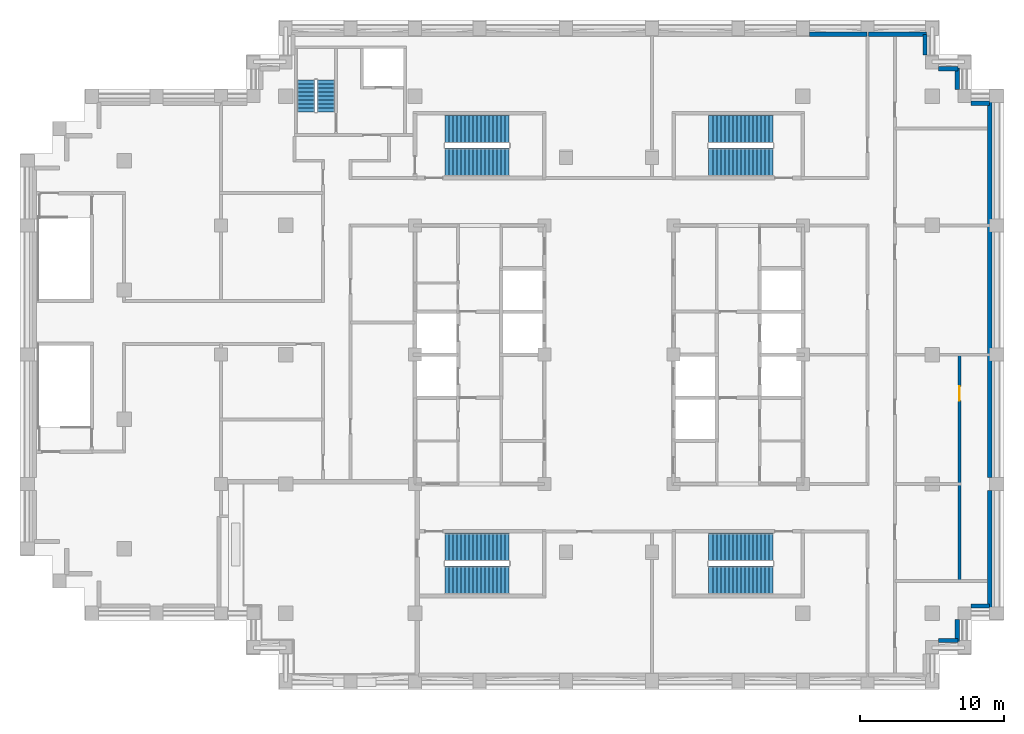
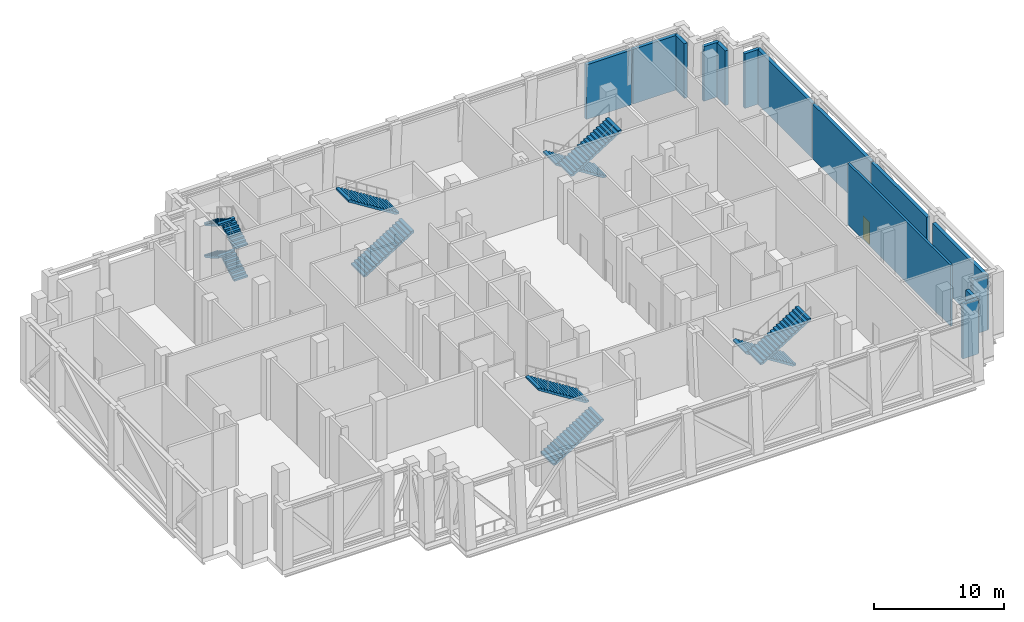
# One storey, part 8 of 10: 14 walls, 12 stair flights, 1 door, 1 opening, 5 elements without a shape of their own.
"""IFC4 building model written with IfcOpenShell, lengths in metres."""

import ifcopenshell
import ifcopenshell.guid

model = None  # the IFC model being written
_history = None  # IfcOwnerHistory: only IFC2X3 demands one
_inside = {}  # id of a spatial element -> (the spatial element, [elements in it])
_under = {}  # id of a project, library or spatial element -> (it, [spatial elements below it])
_declared = {}  # id of a project -> (the project, [libraries it declares])
_typed = {}  # id of a type object -> (the type object, [elements of that type])
_made_of = {}  # id of a material, layer set ... -> (it, [elements and type objects made of it])


def new_model(schema):
    """Start an empty IFC model of exactly this schema.

    Asked for "IFC4X3", IfcOpenShell would pick the latest addendum, in which some entities
    have other attributes; the version numbers below select the first issue.
    IFC2X3 requires an IfcOwnerHistory on every rooted entity: one is made here for all.
    """
    global model, _history
    if schema == "IFC4X3":
        model = ifcopenshell.file(schema_version=(4, 3, 0, 0))
    else:
        model = ifcopenshell.file(schema=schema)
    _inside.clear()
    _under.clear()
    _declared.clear()
    _typed.clear()
    _made_of.clear()
    _history = None
    if model.schema == "IFC2X3":
        org = make("IfcOrganization", Name="unknown")
        user = make(
            "IfcPersonAndOrganization",
            ThePerson=make("IfcPerson", FamilyName="unknown"),
            TheOrganization=org,
        )
        app = make(
            "IfcApplication",
            ApplicationDeveloper=org,
            Version="unknown",
            ApplicationFullName="unknown",
            ApplicationIdentifier="unknown",
        )
        _history = make(
            "IfcOwnerHistory",
            OwningUser=user,
            OwningApplication=app,
            ChangeAction="ADDED",
            CreationDate=0,
        )
    return model


def make(cls, **values):
    """One entity of the class cls with the attributes given. An attribute that is None is left unset."""
    return model.create_entity(
        cls, **{name: value for name, value in values.items() if value is not None}
    )


def rooted(cls, **values):
    """An entity with a GlobalId (a new one), such as an element, a storey or a relation."""
    return make(cls, GlobalId=ifcopenshell.guid.new(), OwnerHistory=_history, **values)


def si_unit(unit_type, name, prefix=None):
    """IfcSIUnit, for example si_unit("LENGTHUNIT", "METRE", prefix="MILLI")."""
    return make("IfcSIUnit", UnitType=unit_type, Prefix=prefix, Name=name)


def assignment(units):
    """IfcUnitAssignment: the units of a project."""
    return None if units is None else make("IfcUnitAssignment", Units=units)


def point(xyz):
    """IfcCartesianPoint."""
    return None if xyz is None else make("IfcCartesianPoint", Coordinates=xyz)


def direction(xyz):
    """IfcDirection."""
    return None if xyz is None else make("IfcDirection", DirectionRatios=xyz)


def frame(location, z_axis=None, x_axis=None):
    """IfcAxis2Placement3D, a coordinate frame: its origin and axes. An axis left out is left unset."""
    return make(
        "IfcAxis2Placement3D",
        Location=point(location),
        Axis=direction(z_axis),
        RefDirection=direction(x_axis),
    )


def frame_2d(location, x_axis=None):
    """IfcAxis2Placement2D, a coordinate frame in the plane: its origin and x axis."""
    return make(
        "IfcAxis2Placement2D", Location=point(location), RefDirection=direction(x_axis)
    )


def origin():
    """The frame at (0, 0, 0) with its axes left unset."""
    return frame((0.0, 0.0, 0.0))


def place(relative_to, where):
    """IfcLocalPlacement: puts the frame where relative to a parent placement (None: the world)."""
    return make(
        "IfcLocalPlacement", PlacementRelTo=relative_to, RelativePlacement=where
    )


def context(
    kind, dimensions, precision=None, world=None, true_north=None, identifier=None
):
    """IfcGeometricRepresentationContext, for example the 3D "Model" context."""
    return make(
        "IfcGeometricRepresentationContext",
        ContextIdentifier=identifier,
        ContextType=kind,
        CoordinateSpaceDimension=dimensions,
        Precision=precision,
        WorldCoordinateSystem=world,
        TrueNorth=true_north,
    )


def subcontext(parent, identifier, kind, view, scale=None):
    """IfcGeometricRepresentationSubContext, for example "Body" below "Model"."""
    return make(
        "IfcGeometricRepresentationSubContext",
        ContextIdentifier=identifier,
        ContextType=kind,
        ParentContext=parent,
        TargetScale=scale,
        TargetView=view,
    )


def project(units=None, contexts=None):
    """IfcProject with its units and contexts."""
    return rooted(
        "IfcProject",
        Name="project",
        RepresentationContexts=contexts,
        UnitsInContext=assignment(units),
    )


def spatial(cls, under=None, at=None, **own):
    """A site, building, storey or space (cls), placed at a placement, below another one or the project."""
    s = rooted(cls, ObjectPlacement=at, **own)
    if under is not None:
        _under.setdefault(under.id(), (under, []))[1].append(s)
    return s


def polyline(points):
    """IfcPolyline through the points."""
    return make("IfcPolyline", Points=[point(p) for p in points])


def profile(cls, at=None, kind="AREA", **sizes):
    """A parametric profile (cls). Its sizes go by their IFC names, for example OverallWidth=200.0."""
    return make(cls, ProfileType=kind, Position=at, **sizes)


def rectangle(**sizes):
    """IfcRectangleProfileDef."""
    return profile("IfcRectangleProfileDef", **sizes)


def outline(outer, holes=None, kind="AREA"):
    """IfcArbitraryClosedProfileDef: a profile drawn as a closed curve; with holes, ...WithVoids."""
    if holes is None:
        return make("IfcArbitraryClosedProfileDef", ProfileType=kind, OuterCurve=outer)
    return make(
        "IfcArbitraryProfileDefWithVoids",
        ProfileType=kind,
        OuterCurve=outer,
        InnerCurves=holes,
    )


def extrude(swept, where, along, depth):
    """IfcExtrudedAreaSolid: the profile swept, set in the frame where, extruded along a direction by depth."""
    return make(
        "IfcExtrudedAreaSolid",
        SweptArea=swept,
        Position=where,
        ExtrudedDirection=direction(along),
        Depth=depth,
    )


def shape(context_of_items, identifier, shape_type, items):
    """IfcShapeRepresentation: the items that make up one representation, for example the "Body"."""
    return make(
        "IfcShapeRepresentation",
        ContextOfItems=context_of_items,
        RepresentationIdentifier=identifier,
        RepresentationType=shape_type,
        Items=items,
    )


def material(Name=None, Category=None):
    """IfcMaterial."""
    return make("IfcMaterial", Name=Name, Category=Category)


def layer(
    of_material, thickness, ventilated=None, Name=None, Category=None, Priority=None
):
    """IfcMaterialLayer: one layer of a wall or slab, of a material (None: an air gap)."""
    return make(
        "IfcMaterialLayer",
        Material=of_material,
        LayerThickness=thickness,
        IsVentilated=ventilated,
        Name=Name,
        Category=Category,
        Priority=Priority,
    )


def layer_set(layers, Name=None):
    """IfcMaterialLayerSet."""
    return make("IfcMaterialLayerSet", MaterialLayers=layers, LayerSetName=Name)


def made_of(thing, what):
    """Note that an element or type object is made of a material, layer set ...; save() writes the relation."""
    if what is not None:
        _made_of.setdefault(what.id(), (what, []))[1].append(thing)
    return thing


def type_object(cls, material=None, **own):
    """A type object (cls), such as IfcWallType, which elements share."""
    return made_of(rooted(cls, **own), material)


def element(
    cls,
    number,
    at=None,
    inside=None,
    cuts=None,
    type_object=None,
    material=None,
    context=None,
    identifier="Body",
    shape_type=None,
    held_by="IfcProductDefinitionShape",
    body=None,
    shapes=None,
    **own,
):
    """One element of the class cls, such as IfcWall. Its Tag is "e" and its number.

    at: its placement. inside: the storey or other place that contains it. cuts: it is an
    opening in that element (IfcRelVoidsElement). A single representation is given by context,
    identifier, shape_type and body (its items); several are given by shapes. held_by: the class
    of the entity that holds the representations. save() writes the other relations.
    """
    e = rooted(cls, Tag="e%d" % number, ObjectPlacement=at, **own)
    if body is not None:
        shapes = [shape(context, identifier, shape_type, body)]
    if shapes is not None:
        e.Representation = make(held_by, Representations=shapes)
    if inside is not None:
        _inside.setdefault(inside.id(), (inside, []))[1].append(e)
    if cuts is not None:
        rooted(
            "IfcRelVoidsElement", RelatingBuildingElement=cuts, RelatedOpeningElement=e
        )
    if type_object is not None:
        _typed.setdefault(type_object.id(), (type_object, []))[1].append(e)
    return made_of(e, material)


def fill(opening, filler):
    """IfcRelFillsElement: the door or window that sits in an opening."""
    return rooted(
        "IfcRelFillsElement",
        RelatingOpeningElement=opening,
        RelatedBuildingElement=filler,
    )


def aggregate(whole, parts):
    """IfcRelAggregates: a whole, such as a stair, and the parts it consists of."""
    return rooted("IfcRelAggregates", RelatingObject=whole, RelatedObjects=parts)


def save(model, path):
    """Write the relations noted so far, then the file.

    IfcRelAggregates (storeys below a building ...), IfcRelContainedInSpatialStructure (elements
    in a storey), IfcRelDefinesByType, IfcRelAssociatesMaterial and IfcRelDeclares: one each for
    every whole, place, type object, material and project.
    """
    for whole, parts in _under.values():
        aggregate(whole, parts)
    for where, things in _inside.values():
        rooted(
            "IfcRelContainedInSpatialStructure",
            RelatedElements=things,
            RelatingStructure=where,
        )
    for kind, things in _typed.values():
        rooted("IfcRelDefinesByType", RelatedObjects=things, RelatingType=kind)
    for what, things in _made_of.values():
        rooted("IfcRelAssociatesMaterial", RelatedObjects=things, RelatingMaterial=what)
    for by, libraries in _declared.values():
        rooted("IfcRelDeclares", RelatingContext=by, RelatedDefinitions=libraries)
    model.write(path)


model = new_model("IFC4")

# Units and contexts
model_context = context("Model", 3, precision=1e-05, world=origin(), true_north=direction((0.0, 1.0)))
body_context = subcontext(model_context, "Body", "Model", "MODEL_VIEW")
ifc_project = project(units=[si_unit("LENGTHUNIT", "METRE"), si_unit("AREAUNIT", "SQUARE_METRE"), si_unit("VOLUMEUNIT", "CUBIC_METRE"), si_unit("PLANEANGLEUNIT", "RADIAN"), si_unit("MASSUNIT", "GRAM", prefix="KILO")], contexts=[model_context])

# Site, building, storey
site_placement = place(None, origin())
site = spatial("IfcSite", under=ifc_project, at=site_placement, CompositionType="ELEMENT")
building_placement = place(site_placement, origin())
building = spatial("IfcBuilding", under=site, at=building_placement, Name="Corbelhall Arena Tower", CompositionType="ELEMENT")
storey_placement = place(building_placement, frame((0.0, 0.0, 236.0)))
storey = spatial("IfcBuildingStorey", under=building, at=storey_placement, Name="L50", CompositionType="ELEMENT", Elevation=236.0)

# Walls
ifc_material_1 = material(Name="Precast concrete C40/50 with granite facing", Category="masonry")
ifc_layer_1 = layer(ifc_material_1, 0.300048828125)
ifc_layer_set_1 = layer_set([ifc_layer_1], Name="EV-IW1 Infill panel 300")
wall_type_1 = type_object("IfcWallType", Name="EV-IW1 Infill panel 300", PredefinedType="SOLIDWALL", material=ifc_layer_set_1)
wall_1_placement = place(storey_placement, frame((22.949951171875, -19.89990234375, 0.0), z_axis=(0.0, 0.0, 1.0), x_axis=(1.0, 0.0, 0.0)))
element("IfcWall", 1, at=wall_1_placement, inside=storey, type_object=wall_type_1, Name="Infill panel IW1", PredefinedType="SOLIDWALL", context=body_context, shape_type="SweptSolid", body=[
    extrude(rectangle(XDim=1.35009765625, YDim=0.300048828125, at=frame_2d((0.675048828125, 0.0))), origin(), (0.0, 0.0, 1.0), 5.1201171875),
])
wall_2_placement = place(storey_placement, frame((24.25, -19.949951171875, 0.0), z_axis=(0.0, 0.0, 1.0), x_axis=(0.0, 1.0, 0.0)))
element("IfcWall", 2, at=wall_2_placement, inside=storey, type_object=wall_type_1, Name="Infill panel IW1", PredefinedType="SOLIDWALL", context=body_context, shape_type="SweptSolid", body=[
    extrude(rectangle(XDim=1.5, YDim=0.300048828125, at=frame_2d((0.75, 0.0))), origin(), (0.0, 0.0, 1.0), 5.1201171875),
])
wall_3_placement = place(storey_placement, frame((25.199951171875, -17.5, 0.0), z_axis=(0.0, 0.0, 1.0), x_axis=(1.0, 0.0, 0.0)))
element("IfcWall", 3, at=wall_3_placement, inside=storey, type_object=wall_type_1, Name="Infill panel IW1", PredefinedType="SOLIDWALL", context=body_context, shape_type="SweptSolid", body=[
    extrude(rectangle(XDim=1.300048828125, YDim=0.300048828125, at=frame_2d((0.64990234375, 0.0))), origin(), (0.0, 0.0, 1.0), 5.1201171875),
])
wall_4_placement = place(storey_placement, frame((26.5, -17.610107421875, 0.0), z_axis=(0.0, 0.0, 1.0), x_axis=(0.0, 1.0, 0.0)))
element("IfcWall", 4, at=wall_4_placement, inside=storey, type_object=wall_type_1, Name="Infill panel IW1", PredefinedType="SOLIDWALL", context=body_context, shape_type="SweptSolid", body=[
    extrude(rectangle(XDim=8.16015625, YDim=0.300048828125, at=frame_2d((4.080078125, 0.0))), origin(), (0.0, 0.0, 1.0), 5.1201171875),
])
wall_5_placement = place(storey_placement, frame((26.5, -8.550048828125, 0.0), z_axis=(0.0, 0.0, 1.0), x_axis=(0.0, 1.0, 0.0)))
element("IfcWall", 5, at=wall_5_placement, inside=storey, type_object=wall_type_1, Name="Infill panel IW1", PredefinedType="SOLIDWALL", context=body_context, shape_type="SweptSolid", body=[
    extrude(rectangle(XDim=8.5, YDim=0.300048828125, at=frame_2d((4.25, 0.0))), origin(), (0.0, 0.0, 1.0), 5.1201171875),
])
wall_6_placement = place(storey_placement, frame((26.5, 0.050048828125, 0.0), z_axis=(0.0, 0.0, 1.0), x_axis=(0.0, 1.0, 0.0)))
element("IfcWall", 6, at=wall_6_placement, inside=storey, type_object=wall_type_1, Name="Infill panel IW1", PredefinedType="SOLIDWALL", context=body_context, shape_type="SweptSolid", body=[
    extrude(rectangle(XDim=8.89990234375, YDim=0.300048828125, at=frame_2d((4.449951171875, 0.0))), origin(), (0.0, 0.0, 1.0), 5.1201171875),
])
wall_7_placement = place(storey_placement, frame((26.5, 9.050048828125, 0.0), z_axis=(0.0, 0.0, 1.0), x_axis=(0.0, 1.0, 0.0)))
element("IfcWall", 7, at=wall_7_placement, inside=storey, type_object=wall_type_1, Name="Infill panel IW1", PredefinedType="SOLIDWALL", context=body_context, shape_type="SweptSolid", body=[
    extrude(rectangle(XDim=8.56005859375, YDim=0.300048828125, at=frame_2d((4.280029296875, 0.0))), origin(), (0.0, 0.0, 1.0), 5.1201171875),
])
wall_8_placement = place(storey_placement, frame((26.5, 17.5, 0.0), z_axis=(0.0, 0.0, 1.0), x_axis=(-1.0, 0.0, 0.0)))
element("IfcWall", 8, at=wall_8_placement, inside=storey, type_object=wall_type_1, Name="Infill panel IW1", PredefinedType="SOLIDWALL", context=body_context, shape_type="SweptSolid", body=[
    extrude(rectangle(XDim=1.300048828125, YDim=0.300048828125, at=frame_2d((0.64990234375, 0.0))), origin(), (0.0, 0.0, 1.0), 5.1201171875),
])
wall_9_placement = place(storey_placement, frame((24.25, 18.449951171875, 0.0), z_axis=(0.0, 0.0, 1.0), x_axis=(0.0, 1.0, 0.0)))
element("IfcWall", 9, at=wall_9_placement, inside=storey, type_object=wall_type_1, Name="Infill panel IW1", PredefinedType="SOLIDWALL", context=body_context, shape_type="SweptSolid", body=[
    extrude(rectangle(XDim=1.5, YDim=0.300048828125, at=frame_2d((0.75, 0.0))), origin(), (0.0, 0.0, 1.0), 5.1201171875),
])
wall_10_placement = place(storey_placement, frame((24.300048828125, 19.89990234375, 0.0), z_axis=(0.0, 0.0, 1.0), x_axis=(-1.0, 0.0, 0.0)))
element("IfcWall", 10, at=wall_10_placement, inside=storey, type_object=wall_type_1, Name="Infill panel IW1", PredefinedType="SOLIDWALL", context=body_context, shape_type="SweptSolid", body=[
    extrude(rectangle(XDim=1.35009765625, YDim=0.300048828125, at=frame_2d((0.675048828125, 0.0))), origin(), (0.0, 0.0, 1.0), 5.1201171875),
])
wall_11_placement = place(storey_placement, frame((22.0, 20.85009765625, 0.0), z_axis=(0.0, 0.0, 1.0), x_axis=(0.0, 1.0, 0.0)))
element("IfcWall", 11, at=wall_11_placement, inside=storey, type_object=wall_type_1, Name="Infill panel IW1", PredefinedType="SOLIDWALL", context=body_context, shape_type="SweptSolid", body=[
    extrude(rectangle(XDim=1.449951171875, YDim=0.300048828125, at=frame_2d((0.72509765625, 0.0))), origin(), (0.0, 0.0, 1.0), 5.1201171875),
])
wall_12_placement = place(storey_placement, frame((22.110107421875, 22.300048828125, 0.0), z_axis=(0.0, 0.0, 1.0), x_axis=(-1.0, 0.0, 0.0)))
element("IfcWall", 12, at=wall_12_placement, inside=storey, type_object=wall_type_1, Name="Infill panel IW1", PredefinedType="SOLIDWALL", context=body_context, shape_type="SweptSolid", body=[
    extrude(rectangle(XDim=4.06005859375, YDim=0.300048828125, at=frame_2d((2.030029296875, 0.0))), origin(), (0.0, 0.0, 1.0), 5.1201171875),
])
wall_13_placement = place(storey_placement, frame((17.949951171875, 22.300048828125, 0.0), z_axis=(0.0, 0.0, 1.0), x_axis=(-1.0, 0.0, 0.0)))
element("IfcWall", 13, at=wall_13_placement, inside=storey, type_object=wall_type_1, Name="Infill panel IW1", PredefinedType="SOLIDWALL", context=body_context, shape_type="SweptSolid", body=[
    extrude(rectangle(XDim=4.0, YDim=0.300048828125, at=frame_2d((2.0, 0.0))), origin(), (0.0, 0.0, 1.0), 5.1201171875),
])

# Wall, opening, door
ifc_material_2 = material(Name="Gypsum board on steel stud, acoustic", Category="steel")
ifc_layer_2 = layer(ifc_material_2, 0.199951171875)
ifc_layer_set_2 = layer_set([ifc_layer_2], Name="IN-W-DM200")
wall_type_2 = type_object("IfcWallType", Name="IN-W-DM200", PredefinedType="PARTITIONING", material=ifc_layer_set_2)
wall_14_placement = place(storey_placement, frame((24.39990234375, 0.0, 0.0), z_axis=(0.0, 0.0, 1.0), x_axis=(0.0, -1.0, 0.0)))
wall_14 = element("IfcWall", 14, at=wall_14_placement, inside=storey, type_object=wall_type_2, Name="Partition 040", PredefinedType="PARTITIONING", context=body_context, shape_type="SweptSolid", body=[
    extrude(rectangle(XDim=15.75, YDim=0.199951171875, at=frame_2d((7.875, 0.0))), origin(), (0.0, 0.0, 1.0), 5.719970703125),
])
opening_placement = place(wall_14_placement, frame((2.199951171875, 0.0, 0.0)))
opening = element("IfcOpeningElement", 15, at=opening_placement, cuts=wall_14, Name="Opening 28041", PredefinedType="OPENING", context=body_context, shape_type="SweptSolid", body=[
    extrude(rectangle(XDim=1.0, YDim=2.10009765625, at=frame_2d((0.5, 1.050048828125))), frame((0.0, 0.10009765625, 0.0), z_axis=(0.0, -1.0, 0.0), x_axis=(1.0, 0.0, 0.0)), (0.0, 0.0, 1.0), 0.199951171875),
])
ifc_material_3 = material(Name="Steel door set", Category="steel")
door_type = type_object("IfcDoorType", Name="IN-D-SW100", OperationType="NOTDEFINED", PredefinedType="DOOR", material=ifc_material_3)
door_placement = place(opening_placement, origin())
door = element("IfcDoor", 16, at=door_placement, inside=storey, type_object=door_type, Name="Door 041", OperationType="SINGLE_SWING_RIGHT", OverallHeight=2.10009765625, OverallWidth=1.0, PredefinedType="DOOR", context=body_context, shape_type="SweptSolid", body=[
    extrude(rectangle(XDim=1.0, YDim=2.10009765625, at=frame_2d((0.5, 1.050048828125))), frame((0.0, 0.02490234375, 0.0), z_axis=(0.0, -1.0, 0.0), x_axis=(1.0, 0.0, 0.0)), (0.0, 0.0, 1.0), 0.050048828125),
])
fill(opening, door)

# Stair, stair flights
ifc_material_4 = material(Name="Concrete C40/50", Category="concrete")
stair_type = type_object("IfcStairType", Name="IN-ST-TOWER", PredefinedType="HALF_TURN_STAIR", material=ifc_material_4)
stair_1_placement = place(storey_placement, origin())
stair_1 = element("IfcStair", 17, at=stair_1_placement, inside=storey, type_object=stair_type, Name="L50 Exit stair ST1", PredefinedType="HALF_TURN_STAIR")
stair_flight_type = type_object("IfcStairFlightType", Name="IN-SFL-RC", PredefinedType="STRAIGHT", material=ifc_material_4)
stair_flight_1_placement = place(storey_placement, frame((-11.425048828125, 13.39990234375, 0.0), z_axis=(0.0, 0.0, 1.0), x_axis=(1.0, 0.0, 0.0)))
stair_flight_1 = element("IfcStairFlight", 18, at=stair_flight_1_placement, type_object=stair_flight_type, Name="ST1 flight 1", NumberOfRisers=17, NumberOfTreads=16, PredefinedType="STRAIGHT", RiserHeight=0.176470588, TreadLength=0.28, context=body_context, shape_type="SweptSolid", body=[
    extrude(outline(polyline([(0.0, 0.0), (0.0, 0.176513671875), (0.280029296875, 0.176513671875), (0.280029296875, 0.35302734375), (0.56005859375, 0.35302734375), (0.56005859375, 0.529296875), (0.840087890625, 0.529296875), (0.840087890625, 0.705810546875), (1.1201171875, 0.705810546875), (1.1201171875, 0.88232421875), (1.39990234375, 0.88232421875), (1.39990234375, 1.058837890625), (1.679931640625, 1.058837890625), (1.679931640625, 1.2353515625), (1.9599609375, 1.2353515625), (1.9599609375, 1.411865234375), (2.239990234375, 1.411865234375), (2.239990234375, 1.588134765625), (2.52001953125, 1.588134765625), (2.52001953125, 1.7646484375), (2.800048828125, 1.7646484375), (2.800048828125, 1.941162109375), (3.080078125, 1.941162109375), (3.080078125, 2.11767578125), (3.360107421875, 2.11767578125), (3.360107421875, 2.294189453125), (3.639892578125, 2.294189453125), (3.639892578125, 2.470703125), (3.919921875, 2.470703125), (3.919921875, 2.64697265625), (4.199951171875, 2.64697265625), (4.199951171875, 2.823486328125), (4.47998046875, 2.823486328125), (4.47998046875, 3.0), (4.47998046875, 2.646240234375), (0.28125, 0.0), (0.0, 0.0)])), frame((0.0, 0.97509765625, 0.0), z_axis=(0.0, -1.0, 0.0), x_axis=(1.0, 0.0, 0.0)), (0.0, 0.0, 1.0), 1.949951171875),
])
stair_flight_2_placement = place(storey_placement, frame((-6.945068359375, 15.699951171875, 3.0), z_axis=(0.0, 0.0, 1.0), x_axis=(-1.0, 0.0, 0.0)))
stair_flight_2 = element("IfcStairFlight", 19, at=stair_flight_2_placement, type_object=stair_flight_type, Name="ST1 flight 2", NumberOfRisers=17, NumberOfTreads=16, PredefinedType="STRAIGHT", RiserHeight=0.176470588, TreadLength=0.28, context=body_context, shape_type="SweptSolid", body=[
    extrude(outline(polyline([(0.0, 0.0), (0.0, 0.176513671875), (0.280029296875, 0.176513671875), (0.280029296875, 0.35302734375), (0.56005859375, 0.35302734375), (0.56005859375, 0.529296875), (0.840087890625, 0.529296875), (0.840087890625, 0.705810546875), (1.1201171875, 0.705810546875), (1.1201171875, 0.88232421875), (1.39990234375, 0.88232421875), (1.39990234375, 1.058837890625), (1.679931640625, 1.058837890625), (1.679931640625, 1.2353515625), (1.9599609375, 1.2353515625), (1.9599609375, 1.411865234375), (2.239990234375, 1.411865234375), (2.239990234375, 1.588134765625), (2.52001953125, 1.588134765625), (2.52001953125, 1.7646484375), (2.800048828125, 1.7646484375), (2.800048828125, 1.941162109375), (3.080078125, 1.941162109375), (3.080078125, 2.11767578125), (3.360107421875, 2.11767578125), (3.360107421875, 2.294189453125), (3.639892578125, 2.294189453125), (3.639892578125, 2.470703125), (3.919921875, 2.470703125), (3.919921875, 2.64697265625), (4.199951171875, 2.64697265625), (4.199951171875, 2.823486328125), (4.47998046875, 2.823486328125), (4.47998046875, 3.0), (4.47998046875, 2.646240234375), (0.28125, 0.0), (0.0, 0.0)])), frame((0.0, 0.97509765625, 0.0), z_axis=(0.0, -1.0, 0.0), x_axis=(1.0, 0.0, 0.0)), (0.0, 0.0, 1.0), 1.949951171875),
])
aggregate(stair_1, [stair_flight_1, stair_flight_2])

stair_2_placement = place(storey_placement, origin())
stair_2 = element("IfcStair", 20, at=stair_2_placement, inside=storey, type_object=stair_type, Name="L50 Exit stair ST2", PredefinedType="HALF_TURN_STAIR")
stair_flight_3_placement = place(storey_placement, frame((-11.425048828125, -15.699951171875, 0.0), z_axis=(0.0, 0.0, 1.0), x_axis=(1.0, 0.0, 0.0)))
stair_flight_3 = element("IfcStairFlight", 21, at=stair_flight_3_placement, type_object=stair_flight_type, Name="ST2 flight 1", NumberOfRisers=17, NumberOfTreads=16, PredefinedType="STRAIGHT", RiserHeight=0.176470588, TreadLength=0.28, context=body_context, shape_type="SweptSolid", body=[
    extrude(outline(polyline([(0.0, 0.0), (0.0, 0.176513671875), (0.280029296875, 0.176513671875), (0.280029296875, 0.35302734375), (0.56005859375, 0.35302734375), (0.56005859375, 0.529296875), (0.840087890625, 0.529296875), (0.840087890625, 0.705810546875), (1.1201171875, 0.705810546875), (1.1201171875, 0.88232421875), (1.39990234375, 0.88232421875), (1.39990234375, 1.058837890625), (1.679931640625, 1.058837890625), (1.679931640625, 1.2353515625), (1.9599609375, 1.2353515625), (1.9599609375, 1.411865234375), (2.239990234375, 1.411865234375), (2.239990234375, 1.588134765625), (2.52001953125, 1.588134765625), (2.52001953125, 1.7646484375), (2.800048828125, 1.7646484375), (2.800048828125, 1.941162109375), (3.080078125, 1.941162109375), (3.080078125, 2.11767578125), (3.360107421875, 2.11767578125), (3.360107421875, 2.294189453125), (3.639892578125, 2.294189453125), (3.639892578125, 2.470703125), (3.919921875, 2.470703125), (3.919921875, 2.64697265625), (4.199951171875, 2.64697265625), (4.199951171875, 2.823486328125), (4.47998046875, 2.823486328125), (4.47998046875, 3.0), (4.47998046875, 2.646240234375), (0.28125, 0.0), (0.0, 0.0)])), frame((0.0, 0.97509765625, 0.0), z_axis=(0.0, -1.0, 0.0), x_axis=(1.0, 0.0, 0.0)), (0.0, 0.0, 1.0), 1.949951171875),
])
stair_flight_4_placement = place(storey_placement, frame((-6.945068359375, -13.39990234375, 3.0), z_axis=(0.0, 0.0, 1.0), x_axis=(-1.0, 0.0, 0.0)))
stair_flight_4 = element("IfcStairFlight", 22, at=stair_flight_4_placement, type_object=stair_flight_type, Name="ST2 flight 2", NumberOfRisers=17, NumberOfTreads=16, PredefinedType="STRAIGHT", RiserHeight=0.176470588, TreadLength=0.28, context=body_context, shape_type="SweptSolid", body=[
    extrude(outline(polyline([(0.0, 0.0), (0.0, 0.176513671875), (0.280029296875, 0.176513671875), (0.280029296875, 0.35302734375), (0.56005859375, 0.35302734375), (0.56005859375, 0.529296875), (0.840087890625, 0.529296875), (0.840087890625, 0.705810546875), (1.1201171875, 0.705810546875), (1.1201171875, 0.88232421875), (1.39990234375, 0.88232421875), (1.39990234375, 1.058837890625), (1.679931640625, 1.058837890625), (1.679931640625, 1.2353515625), (1.9599609375, 1.2353515625), (1.9599609375, 1.411865234375), (2.239990234375, 1.411865234375), (2.239990234375, 1.588134765625), (2.52001953125, 1.588134765625), (2.52001953125, 1.7646484375), (2.800048828125, 1.7646484375), (2.800048828125, 1.941162109375), (3.080078125, 1.941162109375), (3.080078125, 2.11767578125), (3.360107421875, 2.11767578125), (3.360107421875, 2.294189453125), (3.639892578125, 2.294189453125), (3.639892578125, 2.470703125), (3.919921875, 2.470703125), (3.919921875, 2.64697265625), (4.199951171875, 2.64697265625), (4.199951171875, 2.823486328125), (4.47998046875, 2.823486328125), (4.47998046875, 3.0), (4.47998046875, 2.646240234375), (0.28125, 0.0), (0.0, 0.0)])), frame((0.0, 0.97509765625, 0.0), z_axis=(0.0, -1.0, 0.0), x_axis=(1.0, 0.0, 0.0)), (0.0, 0.0, 1.0), 1.949951171875),
])
aggregate(stair_2, [stair_flight_3, stair_flight_4])

stair_3_placement = place(storey_placement, origin())
stair_3 = element("IfcStair", 23, at=stair_3_placement, inside=storey, type_object=stair_type, Name="L50 Exit stair ST3", PredefinedType="HALF_TURN_STAIR")
stair_flight_5_placement = place(storey_placement, frame((11.425048828125, 15.699951171875, 0.0), z_axis=(0.0, 0.0, 1.0), x_axis=(-1.0, 0.0, 0.0)))
stair_flight_5 = element("IfcStairFlight", 24, at=stair_flight_5_placement, type_object=stair_flight_type, Name="ST3 flight 1", NumberOfRisers=17, NumberOfTreads=16, PredefinedType="STRAIGHT", RiserHeight=0.176470588, TreadLength=0.28, context=body_context, shape_type="SweptSolid", body=[
    extrude(outline(polyline([(0.0, 0.0), (0.0, 0.176513671875), (0.280029296875, 0.176513671875), (0.280029296875, 0.35302734375), (0.56005859375, 0.35302734375), (0.56005859375, 0.529296875), (0.840087890625, 0.529296875), (0.840087890625, 0.705810546875), (1.1201171875, 0.705810546875), (1.1201171875, 0.88232421875), (1.39990234375, 0.88232421875), (1.39990234375, 1.058837890625), (1.679931640625, 1.058837890625), (1.679931640625, 1.2353515625), (1.9599609375, 1.2353515625), (1.9599609375, 1.411865234375), (2.239990234375, 1.411865234375), (2.239990234375, 1.588134765625), (2.52001953125, 1.588134765625), (2.52001953125, 1.7646484375), (2.800048828125, 1.7646484375), (2.800048828125, 1.941162109375), (3.080078125, 1.941162109375), (3.080078125, 2.11767578125), (3.360107421875, 2.11767578125), (3.360107421875, 2.294189453125), (3.639892578125, 2.294189453125), (3.639892578125, 2.470703125), (3.919921875, 2.470703125), (3.919921875, 2.64697265625), (4.199951171875, 2.64697265625), (4.199951171875, 2.823486328125), (4.47998046875, 2.823486328125), (4.47998046875, 3.0), (4.47998046875, 2.646240234375), (0.28125, 0.0), (0.0, 0.0)])), frame((0.0, 0.97509765625, 0.0), z_axis=(0.0, -1.0, 0.0), x_axis=(1.0, 0.0, 0.0)), (0.0, 0.0, 1.0), 1.949951171875),
])
stair_flight_6_placement = place(storey_placement, frame((6.945068359375, 13.39990234375, 3.0), z_axis=(0.0, 0.0, 1.0), x_axis=(1.0, 0.0, 0.0)))
stair_flight_6 = element("IfcStairFlight", 25, at=stair_flight_6_placement, type_object=stair_flight_type, Name="ST3 flight 2", NumberOfRisers=17, NumberOfTreads=16, PredefinedType="STRAIGHT", RiserHeight=0.176470588, TreadLength=0.28, context=body_context, shape_type="SweptSolid", body=[
    extrude(outline(polyline([(0.0, 0.0), (0.0, 0.176513671875), (0.280029296875, 0.176513671875), (0.280029296875, 0.35302734375), (0.56005859375, 0.35302734375), (0.56005859375, 0.529296875), (0.840087890625, 0.529296875), (0.840087890625, 0.705810546875), (1.1201171875, 0.705810546875), (1.1201171875, 0.88232421875), (1.39990234375, 0.88232421875), (1.39990234375, 1.058837890625), (1.679931640625, 1.058837890625), (1.679931640625, 1.2353515625), (1.9599609375, 1.2353515625), (1.9599609375, 1.411865234375), (2.239990234375, 1.411865234375), (2.239990234375, 1.588134765625), (2.52001953125, 1.588134765625), (2.52001953125, 1.7646484375), (2.800048828125, 1.7646484375), (2.800048828125, 1.941162109375), (3.080078125, 1.941162109375), (3.080078125, 2.11767578125), (3.360107421875, 2.11767578125), (3.360107421875, 2.294189453125), (3.639892578125, 2.294189453125), (3.639892578125, 2.470703125), (3.919921875, 2.470703125), (3.919921875, 2.64697265625), (4.199951171875, 2.64697265625), (4.199951171875, 2.823486328125), (4.47998046875, 2.823486328125), (4.47998046875, 3.0), (4.47998046875, 2.646240234375), (0.28125, 0.0), (0.0, 0.0)])), frame((0.0, 0.97509765625, 0.0), z_axis=(0.0, -1.0, 0.0), x_axis=(1.0, 0.0, 0.0)), (0.0, 0.0, 1.0), 1.949951171875),
])
aggregate(stair_3, [stair_flight_5, stair_flight_6])

stair_4_placement = place(storey_placement, origin())
stair_4 = element("IfcStair", 26, at=stair_4_placement, inside=storey, type_object=stair_type, Name="L50 Exit stair ST4", PredefinedType="HALF_TURN_STAIR")
stair_flight_7_placement = place(storey_placement, frame((11.425048828125, -13.39990234375, 0.0), z_axis=(0.0, 0.0, 1.0), x_axis=(-1.0, 0.0, 0.0)))
stair_flight_7 = element("IfcStairFlight", 27, at=stair_flight_7_placement, type_object=stair_flight_type, Name="ST4 flight 1", NumberOfRisers=17, NumberOfTreads=16, PredefinedType="STRAIGHT", RiserHeight=0.176470588, TreadLength=0.28, context=body_context, shape_type="SweptSolid", body=[
    extrude(outline(polyline([(0.0, 0.0), (0.0, 0.176513671875), (0.280029296875, 0.176513671875), (0.280029296875, 0.35302734375), (0.56005859375, 0.35302734375), (0.56005859375, 0.529296875), (0.840087890625, 0.529296875), (0.840087890625, 0.705810546875), (1.1201171875, 0.705810546875), (1.1201171875, 0.88232421875), (1.39990234375, 0.88232421875), (1.39990234375, 1.058837890625), (1.679931640625, 1.058837890625), (1.679931640625, 1.2353515625), (1.9599609375, 1.2353515625), (1.9599609375, 1.411865234375), (2.239990234375, 1.411865234375), (2.239990234375, 1.588134765625), (2.52001953125, 1.588134765625), (2.52001953125, 1.7646484375), (2.800048828125, 1.7646484375), (2.800048828125, 1.941162109375), (3.080078125, 1.941162109375), (3.080078125, 2.11767578125), (3.360107421875, 2.11767578125), (3.360107421875, 2.294189453125), (3.639892578125, 2.294189453125), (3.639892578125, 2.470703125), (3.919921875, 2.470703125), (3.919921875, 2.64697265625), (4.199951171875, 2.64697265625), (4.199951171875, 2.823486328125), (4.47998046875, 2.823486328125), (4.47998046875, 3.0), (4.47998046875, 2.646240234375), (0.28125, 0.0), (0.0, 0.0)])), frame((0.0, 0.97509765625, 0.0), z_axis=(0.0, -1.0, 0.0), x_axis=(1.0, 0.0, 0.0)), (0.0, 0.0, 1.0), 1.949951171875),
])
stair_flight_8_placement = place(storey_placement, frame((6.945068359375, -15.699951171875, 3.0), z_axis=(0.0, 0.0, 1.0), x_axis=(1.0, 0.0, 0.0)))
stair_flight_8 = element("IfcStairFlight", 28, at=stair_flight_8_placement, type_object=stair_flight_type, Name="ST4 flight 2", NumberOfRisers=17, NumberOfTreads=16, PredefinedType="STRAIGHT", RiserHeight=0.176470588, TreadLength=0.28, context=body_context, shape_type="SweptSolid", body=[
    extrude(outline(polyline([(0.0, 0.0), (0.0, 0.176513671875), (0.280029296875, 0.176513671875), (0.280029296875, 0.35302734375), (0.56005859375, 0.35302734375), (0.56005859375, 0.529296875), (0.840087890625, 0.529296875), (0.840087890625, 0.705810546875), (1.1201171875, 0.705810546875), (1.1201171875, 0.88232421875), (1.39990234375, 0.88232421875), (1.39990234375, 1.058837890625), (1.679931640625, 1.058837890625), (1.679931640625, 1.2353515625), (1.9599609375, 1.2353515625), (1.9599609375, 1.411865234375), (2.239990234375, 1.411865234375), (2.239990234375, 1.588134765625), (2.52001953125, 1.588134765625), (2.52001953125, 1.7646484375), (2.800048828125, 1.7646484375), (2.800048828125, 1.941162109375), (3.080078125, 1.941162109375), (3.080078125, 2.11767578125), (3.360107421875, 2.11767578125), (3.360107421875, 2.294189453125), (3.639892578125, 2.294189453125), (3.639892578125, 2.470703125), (3.919921875, 2.470703125), (3.919921875, 2.64697265625), (4.199951171875, 2.64697265625), (4.199951171875, 2.823486328125), (4.47998046875, 2.823486328125), (4.47998046875, 3.0), (4.47998046875, 2.646240234375), (0.28125, 0.0), (0.0, 0.0)])), frame((0.0, 0.97509765625, 0.0), z_axis=(0.0, -1.0, 0.0), x_axis=(1.0, 0.0, 0.0)), (0.0, 0.0, 1.0), 1.949951171875),
])
aggregate(stair_4, [stair_flight_7, stair_flight_8])

stair_5_placement = place(storey_placement, origin())
stair_5 = element("IfcStair", 29, at=stair_5_placement, inside=storey, type_object=stair_type, Name="L50 Exit stair ST5", PredefinedType="HALF_TURN_STAIR")
stair_flight_9_placement = place(storey_placement, frame((-19.695068359375, 16.89990234375, 0.0), z_axis=(0.0, 0.0, 1.0), x_axis=(0.0, 1.0, 0.0)))
stair_flight_9 = element("IfcStairFlight", 30, at=stair_flight_9_placement, type_object=stair_flight_type, Name="ST5 flight 1", NumberOfRisers=9, NumberOfTreads=8, PredefinedType="STRAIGHT", RiserHeight=0.166666667, TreadLength=0.28, context=body_context, shape_type="SweptSolid", body=[
    extrude(outline(polyline([(0.0, 0.0), (0.0, 0.166748046875), (0.280029296875, 0.166748046875), (0.280029296875, 0.333251953125), (0.56005859375, 0.333251953125), (0.56005859375, 0.5), (0.840087890625, 0.5), (0.840087890625, 0.666748046875), (1.1201171875, 0.666748046875), (1.1201171875, 0.833251953125), (1.39990234375, 0.833251953125), (1.39990234375, 1.0), (1.679931640625, 1.0), (1.679931640625, 1.166748046875), (1.9599609375, 1.166748046875), (1.9599609375, 1.333251953125), (2.239990234375, 1.333251953125), (2.239990234375, 1.5), (2.239990234375, 1.158935546875), (0.29296875, 0.0), (0.0, 0.0)])), frame((0.0, 0.60009765625, 0.0), z_axis=(0.0, -1.0, 0.0), x_axis=(1.0, 0.0, 0.0)), (0.0, 0.0, 1.0), 1.199951171875),
])
stair_flight_10_placement = place(storey_placement, frame((-21.094970703125, 19.139892578125, 1.5), z_axis=(0.0, 0.0, 1.0), x_axis=(0.0, -1.0, 0.0)))
stair_flight_10 = element("IfcStairFlight", 31, at=stair_flight_10_placement, type_object=stair_flight_type, Name="ST5 flight 2", NumberOfRisers=9, NumberOfTreads=8, PredefinedType="STRAIGHT", RiserHeight=0.166666667, TreadLength=0.28, context=body_context, shape_type="SweptSolid", body=[
    extrude(outline(polyline([(0.0, 0.0), (0.0, 0.166748046875), (0.280029296875, 0.166748046875), (0.280029296875, 0.333251953125), (0.56005859375, 0.333251953125), (0.56005859375, 0.5), (0.840087890625, 0.5), (0.840087890625, 0.666748046875), (1.1201171875, 0.666748046875), (1.1201171875, 0.833251953125), (1.39990234375, 0.833251953125), (1.39990234375, 1.0), (1.679931640625, 1.0), (1.679931640625, 1.166748046875), (1.9599609375, 1.166748046875), (1.9599609375, 1.333251953125), (2.239990234375, 1.333251953125), (2.239990234375, 1.5), (2.239990234375, 1.158935546875), (0.29296875, 0.0), (0.0, 0.0)])), frame((0.0, 0.60009765625, 0.0), z_axis=(0.0, -1.0, 0.0), x_axis=(1.0, 0.0, 0.0)), (0.0, 0.0, 1.0), 1.199951171875),
])
stair_flight_11_placement = place(storey_placement, frame((-19.695068359375, 16.89990234375, 3.0), z_axis=(0.0, 0.0, 1.0), x_axis=(0.0, 1.0, 0.0)))
stair_flight_11 = element("IfcStairFlight", 32, at=stair_flight_11_placement, type_object=stair_flight_type, Name="ST5 flight 3", NumberOfRisers=9, NumberOfTreads=8, PredefinedType="STRAIGHT", RiserHeight=0.166666667, TreadLength=0.28, context=body_context, shape_type="SweptSolid", body=[
    extrude(outline(polyline([(0.0, 0.0), (0.0, 0.166748046875), (0.280029296875, 0.166748046875), (0.280029296875, 0.333251953125), (0.56005859375, 0.333251953125), (0.56005859375, 0.5), (0.840087890625, 0.5), (0.840087890625, 0.666748046875), (1.1201171875, 0.666748046875), (1.1201171875, 0.833251953125), (1.39990234375, 0.833251953125), (1.39990234375, 1.0), (1.679931640625, 1.0), (1.679931640625, 1.166748046875), (1.9599609375, 1.166748046875), (1.9599609375, 1.333251953125), (2.239990234375, 1.333251953125), (2.239990234375, 1.5), (2.239990234375, 1.158935546875), (0.29296875, 0.0), (0.0, 0.0)])), frame((0.0, 0.60009765625, 0.0), z_axis=(0.0, -1.0, 0.0), x_axis=(1.0, 0.0, 0.0)), (0.0, 0.0, 1.0), 1.199951171875),
])
stair_flight_12_placement = place(storey_placement, frame((-21.094970703125, 19.139892578125, 4.5), z_axis=(0.0, 0.0, 1.0), x_axis=(0.0, -1.0, 0.0)))
stair_flight_12 = element("IfcStairFlight", 33, at=stair_flight_12_placement, type_object=stair_flight_type, Name="ST5 flight 4", NumberOfRisers=9, NumberOfTreads=8, PredefinedType="STRAIGHT", RiserHeight=0.166666667, TreadLength=0.28, context=body_context, shape_type="SweptSolid", body=[
    extrude(outline(polyline([(0.0, 0.0), (0.0, 0.166748046875), (0.280029296875, 0.166748046875), (0.280029296875, 0.333251953125), (0.56005859375, 0.333251953125), (0.56005859375, 0.5), (0.840087890625, 0.5), (0.840087890625, 0.666748046875), (1.1201171875, 0.666748046875), (1.1201171875, 0.833251953125), (1.39990234375, 0.833251953125), (1.39990234375, 1.0), (1.679931640625, 1.0), (1.679931640625, 1.166748046875), (1.9599609375, 1.166748046875), (1.9599609375, 1.333251953125), (2.239990234375, 1.333251953125), (2.239990234375, 1.5), (2.239990234375, 1.158935546875), (0.29296875, 0.0), (0.0, 0.0)])), frame((0.0, 0.60009765625, 0.0), z_axis=(0.0, -1.0, 0.0), x_axis=(1.0, 0.0, 0.0)), (0.0, 0.0, 1.0), 1.199951171875),
])
aggregate(stair_5, [stair_flight_9, stair_flight_10, stair_flight_11, stair_flight_12])

save(model, "model.ifc")
